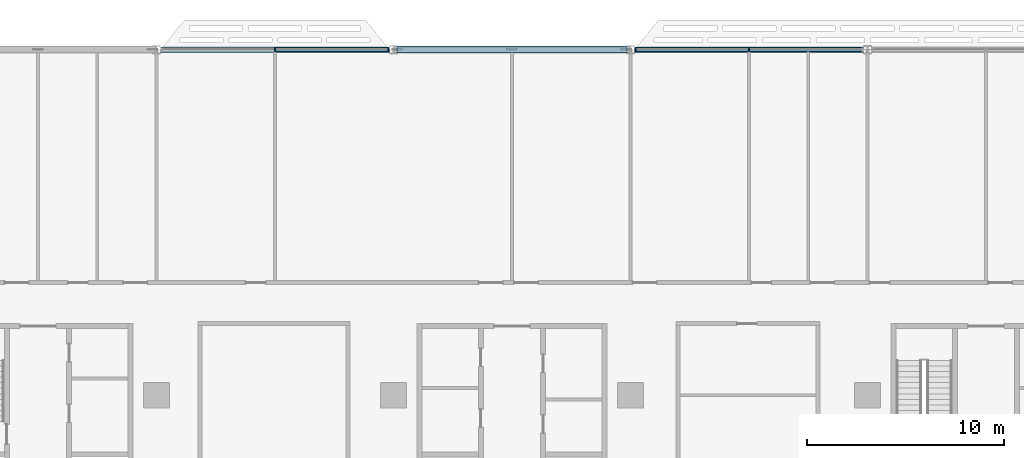
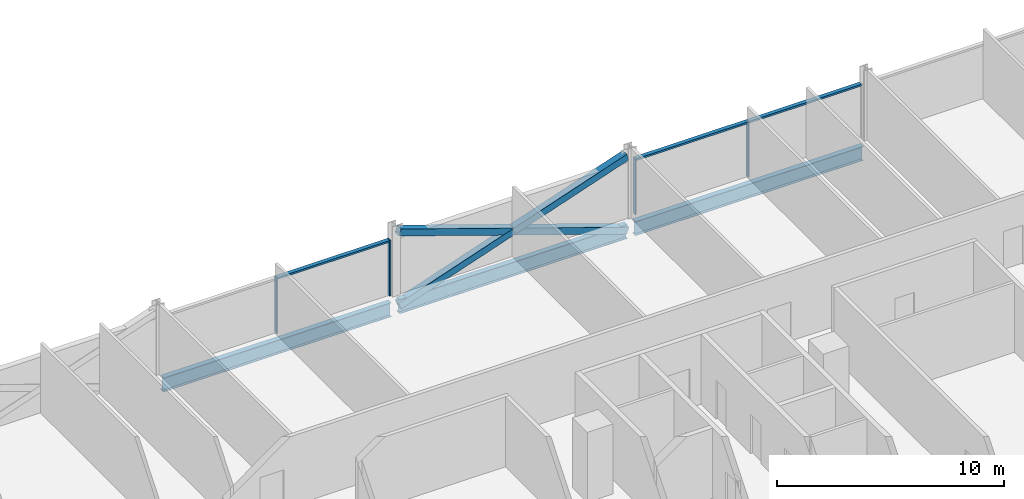
# One storey, part 7 of 28: 10 members, 3 beams, 2 elements without a shape of their own.
"""IFC4 building model written with IfcOpenShell, lengths in metres."""

from ifc_helpers import new_model, si_unit, direction, frame, origin, origin_2d, place, context, subcontext, project, spatial, rectangle, hollow_rectangle, i_section, extrude, material, material_profile, profile_set, type_object, element, aggregate, save


model = new_model("IFC4")

# Units and contexts
model_context = context("Model", 3, precision=1e-05, world=origin(), true_north=direction((0.0, 1.0)))
body_context = subcontext(model_context, "Body", "Model", "MODEL_VIEW")
ifc_project = project(units=[si_unit("LENGTHUNIT", "METRE"), si_unit("AREAUNIT", "SQUARE_METRE"), si_unit("VOLUMEUNIT", "CUBIC_METRE"), si_unit("PLANEANGLEUNIT", "RADIAN"), si_unit("MASSUNIT", "GRAM", prefix="KILO")], contexts=[model_context])

# Site, building, storey
site_placement = place(None, origin())
site = spatial("IfcSite", under=ifc_project, at=site_placement, CompositionType="ELEMENT")
building_placement = place(site_placement, origin())
building = spatial("IfcBuilding", under=site, at=building_placement, Name="Mahtab Terrace Research Tower", CompositionType="ELEMENT")
storey_placement = place(building_placement, frame((0.0, 0.0, 130.199951171875)))
storey = spatial("IfcBuildingStorey", under=building, at=storey_placement, Name="L30", CompositionType="ELEMENT", Elevation=130.199951171875)

# Members
ifc_material_1 = material(Name="Steel ASTM A500 Gr C", Category="steel")
ifc_material_profile_1 = material_profile(ifc_material_1, hollow_rectangle(XDim=0.355712890625, YDim=0.355712890625, WallThickness=0.01904296875, at=origin_2d()), Name="HSS14X14X3/4")
ifc_profile_set_1 = profile_set([ifc_material_profile_1], Name="Steel ASTM A500 Gr C")
member_type_1 = type_object("IfcMemberType", Name="HSS 14x14x3/4 brace XB141434", PredefinedType="BRACE", material=ifc_profile_set_1)
member_1_placement = place(storey_placement, frame((5.794189453125, 29.0, -0.648193359375), z_axis=(-0.946288278, 0.0, 0.323324132908), x_axis=(0.0, -1.0, 0.0)))
element("IfcMember", 1, at=member_1_placement, inside=storey, type_object=member_type_1, Name="Exoskeleton brace L30 04 a", PredefinedType="BRACE", context=body_context, shape_type="SweptSolid", body=[
    extrude(hollow_rectangle(XDim=0.355712890625, YDim=0.355712890625, WallThickness=0.01904296875, at=origin_2d()), origin(), (0.0, 0.0, 1.0), 12.24609375),
])
for number, where, z_axis, x_axis, name in (
    (2, (-5.794189453125, 29.0, -0.648193359375), (0.946288278, 0.0, 0.323324132908), (0.0, 1.0, 0.0), "Exoskeleton brace L30 04 b1"),
    (3, (0.0, 29.0, 1.33154296875), (0.946288278, 0.0, 0.323324132908), (0.0, 1.0, 0.0), "Exoskeleton brace L30 04 b2"),
):
    element("IfcMember", number, at=place(storey_placement, frame(where, z_axis=z_axis, x_axis=x_axis)), inside=storey, type_object=member_type_1, Name=name, PredefinedType="BRACE", context=body_context, shape_type="SweptSolid", body=[
        extrude(hollow_rectangle(XDim=0.355712890625, YDim=0.355712890625, WallThickness=0.01904296875, at=origin_2d()), origin(), (0.0, 0.0, 1.0), 6.123046875),
    ])

# Curtain wall, members
ifc_material_2 = material(Name="Laboratory ribbon curtain wall")
curtain_wall_type = type_object("IfcCurtainWallType", Name="Laboratory ribbon curtain wall", PredefinedType="NOTDEFINED", material=ifc_material_2)
curtain_wall_1_placement = place(storey_placement, origin())
curtain_wall_1 = element("IfcCurtainWall", 4, at=curtain_wall_1_placement, inside=storey, type_object=curtain_wall_type, Name="EN.L30.3.5", PredefinedType="NOTDEFINED")
ifc_material_3 = material(Name="Natural anodised aluminium", Category="aluminium")
ifc_material_profile_2 = material_profile(ifc_material_3, rectangle(XDim=0.199951171875, YDim=0.06494140625, at=origin_2d()), Name="MULLION 65x200")
ifc_profile_set_2 = profile_set([ifc_material_profile_2], Name="Natural anodised aluminium")
member_type_2 = type_object("IfcMemberType", Name="Laboratory ribbon curtain wall mullion", PredefinedType="MULLION", material=ifc_profile_set_2)
member_2_placement = place(storey_placement, frame((12.0, 29.0, 0.0), z_axis=(0.0, 0.0, 1.0), x_axis=(0.0, -1.0, 0.0)))
member_2 = element("IfcMember", 5, at=member_2_placement, type_object=member_type_2, Name="CWL-4 mullion 2", PredefinedType="MULLION", context=body_context, shape_type="SweptSolid", body=[
    extrude(rectangle(XDim=0.199951171875, YDim=0.06494140625, at=origin_2d()), origin(), (0.0, 0.0, 1.0), 3.003173828125),
])
member_3_placement = place(storey_placement, frame((6.25048828125, 29.0, 0.0), z_axis=(0.0, 0.0, 1.0), x_axis=(0.0, -1.0, 0.0)))
member_3 = element("IfcMember", 6, at=member_3_placement, type_object=member_type_2, Name="CWL-4 mullion 3", PredefinedType="MULLION", context=body_context, shape_type="SweptSolid", body=[
    extrude(rectangle(XDim=0.199951171875, YDim=0.06494140625, at=origin_2d()), origin(), (0.0, 0.0, 1.0), 3.003173828125),
])

curtain_wall_2_placement = place(storey_placement, origin())
curtain_wall_2 = element("IfcCurtainWall", 7, at=curtain_wall_2_placement, inside=storey, type_object=curtain_wall_type, Name="EN.L30.3.7", PredefinedType="NOTDEFINED")
member_4_placement = place(storey_placement, frame((-6.25048828125, 29.0, 0.0), z_axis=(0.0, 0.0, 1.0), x_axis=(0.0, -1.0, 0.0)))
member_4 = element("IfcMember", 8, at=member_4_placement, type_object=member_type_2, Name="CWL-4 mullion 1", PredefinedType="MULLION", context=body_context, shape_type="SweptSolid", body=[
    extrude(rectangle(XDim=0.199951171875, YDim=0.06494140625, at=origin_2d()), origin(), (0.0, 0.0, 1.0), 3.003173828125),
])
member_5_placement = place(storey_placement, frame((-12.0, 29.0, 0.0), z_axis=(0.0, 0.0, 1.0), x_axis=(0.0, -1.0, 0.0)))
member_5 = element("IfcMember", 9, at=member_5_placement, type_object=member_type_2, Name="CWL-4 mullion 2", PredefinedType="MULLION", context=body_context, shape_type="SweptSolid", body=[
    extrude(rectangle(XDim=0.199951171875, YDim=0.06494140625, at=origin_2d()), origin(), (0.0, 0.0, 1.0), 3.003173828125),
])

# Member
ifc_material_profile_3 = material_profile(ifc_material_3, rectangle(XDim=0.199951171875, YDim=0.10009765625, at=origin_2d()), Name="TRANSOM 100x200")
ifc_profile_set_3 = profile_set([ifc_material_profile_3], Name="Natural anodised aluminium")
member_type_3 = type_object("IfcMemberType", Name="Laboratory ribbon curtain wall transom", PredefinedType="USERDEFINED", material=ifc_profile_set_3)
member_6_placement = place(storey_placement, frame((17.717041015625, 29.0, 2.953125), z_axis=(-1.0, 0.0, 0.0), x_axis=(0.0, -1.0, 0.0)))
member_6 = element("IfcMember", 10, at=member_6_placement, type_object=member_type_3, Name="CWL-4 transom 1", ObjectType="TRANSOM", PredefinedType="USERDEFINED", context=body_context, shape_type="SweptSolid", body=[
    extrude(rectangle(XDim=0.199951171875, YDim=0.10009765625, at=origin_2d()), origin(), (0.0, 0.0, 1.0), 5.6845703125),
])

member_7_placement = place(storey_placement, frame((11.967529296875, 29.0, 2.953125), z_axis=(-1.0, 0.0, 0.0), x_axis=(0.0, -1.0, 0.0)))
member_7 = element("IfcMember", 11, at=member_7_placement, type_object=member_type_3, Name="CWL-4 transom 2", ObjectType="TRANSOM", PredefinedType="USERDEFINED", context=body_context, shape_type="SweptSolid", body=[
    extrude(rectangle(XDim=0.199951171875, YDim=0.10009765625, at=origin_2d()), origin(), (0.0, 0.0, 1.0), 5.6845703125),
])

aggregate(curtain_wall_1, [member_2, member_3, member_6, member_7])

member_8_placement = place(storey_placement, frame((-6.282958984375, 29.0, 2.953125), z_axis=(-1.0, 0.0, 0.0), x_axis=(0.0, -1.0, 0.0)))
member_8 = element("IfcMember", 12, at=member_8_placement, type_object=member_type_3, Name="CWL-4 transom 1", ObjectType="TRANSOM", PredefinedType="USERDEFINED", context=body_context, shape_type="SweptSolid", body=[
    extrude(rectangle(XDim=0.199951171875, YDim=0.10009765625, at=origin_2d()), origin(), (0.0, 0.0, 1.0), 5.6845703125),
])

aggregate(curtain_wall_2, [member_4, member_5, member_8])

# Beams
ifc_material_4 = material(Name="Steel ASTM A992 Gr 50", Category="steel")
ifc_material_profile_4 = material_profile(ifc_material_4, i_section(OverallWidth=0.2666015625, OverallDepth=0.7568359375, WebThickness=0.013916015625, FlangeThickness=0.019287109375, at=origin_2d()), Name="W30X108")
ifc_profile_set_4 = profile_set([ifc_material_profile_4], Name="Steel ASTM A992 Gr 50")
beam_type = type_object("IfcBeamType", Name="W30x108 beam BS30108", PredefinedType="BEAM", material=ifc_profile_set_4)
for number, where, z_axis, x_axis, name in (
    (13, (17.794189453125, 29.0, -0.718505859375), (-1.0, 0.0, 0.0), (0.0, -1.0, 0.0), "Spandrel beam L30 03"),
    (14, (5.794189453125, 29.0, -0.718505859375), (-1.0, 0.0, 0.0), (0.0, -1.0, 0.0), "Spandrel beam L30 04"),
    (15, (-6.205810546875, 29.0, -0.718505859375), (-1.0, 0.0, 0.0), (0.0, -1.0, 0.0), "Spandrel beam L30 05"),
):
    element("IfcBeam", number, at=place(storey_placement, frame(where, z_axis=z_axis, x_axis=x_axis)), inside=storey, type_object=beam_type, Name=name, PredefinedType="BEAM", context=body_context, shape_type="SweptSolid", body=[
        extrude(i_section(OverallWidth=0.2666015625, OverallDepth=0.7568359375, WebThickness=0.013916015625, FlangeThickness=0.019287109375, at=origin_2d()), origin(), (0.0, 0.0, 1.0), 11.58837890625),
    ])

save(model, "model.ifc")
